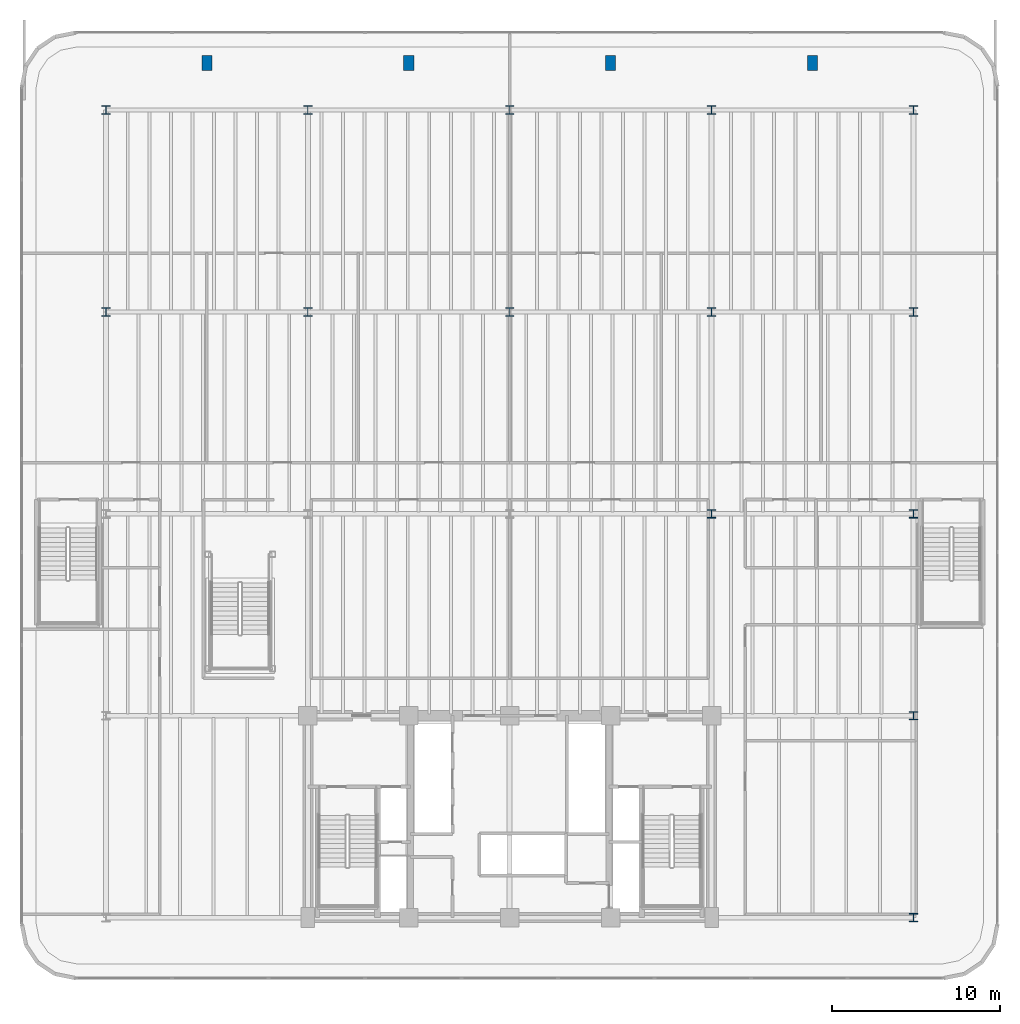
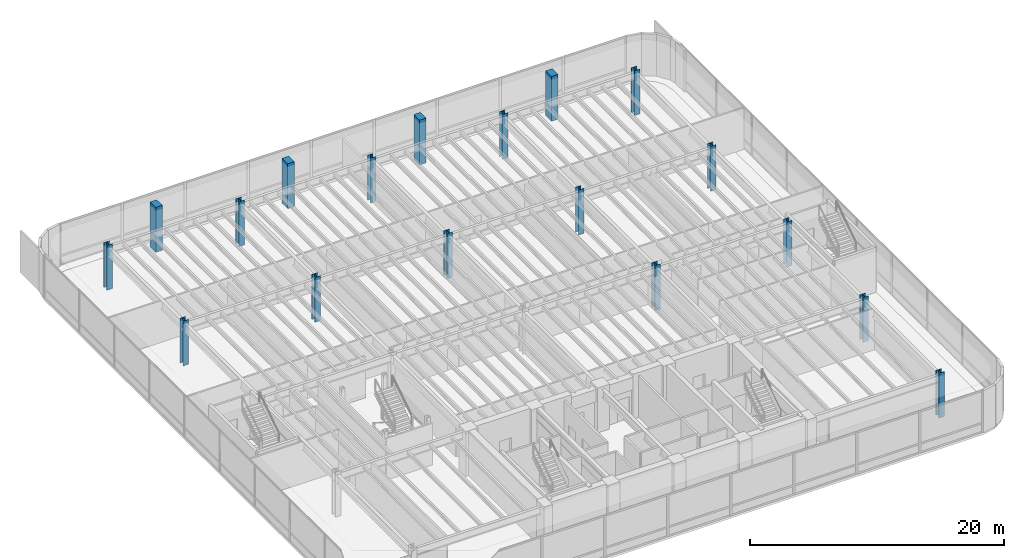
# One storey, part 2 of 18: 18 columns.
"""IFC4 building model written with IfcOpenShell, lengths in metres."""

from ifc_helpers import new_model, si_unit, direction, frame, origin, origin_2d, place, context, subcontext, project, spatial, rectangle, i_section, extrude, source, transform, mapped, material, material_profile, profile_set, type_object, element, save


model = new_model("IFC4")

# Units and contexts
model_context = context("Model", 3, precision=1e-05, world=origin(), true_north=direction((0.0, 1.0)))
body_context = subcontext(model_context, "Body", "Model", "MODEL_VIEW")
ifc_project = project(units=[si_unit("LENGTHUNIT", "METRE"), si_unit("AREAUNIT", "SQUARE_METRE"), si_unit("VOLUMEUNIT", "CUBIC_METRE"), si_unit("PLANEANGLEUNIT", "RADIAN"), si_unit("MASSUNIT", "GRAM", prefix="KILO")], contexts=[model_context])

# Site, building, storey
site_placement = place(None, origin())
site = spatial("IfcSite", under=ifc_project, at=site_placement, CompositionType="ELEMENT")
building_placement = place(site_placement, origin())
building = spatial("IfcBuilding", under=site, at=building_placement, Name="Brelvock Crest Care Tower", CompositionType="ELEMENT")
storey_placement = place(building_placement, frame((0.0, 0.0, 9.719970703125)))
storey = spatial("IfcBuildingStorey", under=building, at=storey_placement, Name="L02", CompositionType="ELEMENT", Elevation=9.719970703125)

# Columns
ifc_material_1 = material(Name="Concrete N50 (50 MPa)", Category="concrete")
ifc_material_profile_1 = material_profile(ifc_material_1, rectangle(XDim=0.60009765625, YDim=0.89990234375, at=origin_2d()), Name="RC600x900")
ifc_profile_set_1 = profile_set([ifc_material_profile_1], Name="Concrete N50 (50 MPa)")
column_type_1 = type_object("IfcColumnType", Name="COL-PL1", PredefinedType="PILASTER", material=ifc_profile_set_1)
shared_shape_1 = source(origin(), body_context, "Body", "SweptSolid", [
    extrude(rectangle(XDim=0.60009765625, YDim=0.89990234375, at=origin_2d()), origin(), (0.0, 0.0, 1.0), 4.320068359375),
])
for number, where, z_axis, x_axis, name in (
    (1, (18.0, 56.800048828125, 0.0), (0.0, 0.0, 1.0), (1.0, 0.0, 0.0), "L02 Podium Pilaster PIL-1"),
    (2, (30.0, 56.800048828125, 0.0), (0.0, 0.0, 1.0), (1.0, 0.0, 0.0), "L02 Podium Pilaster PIL-2"),
    (3, (42.0, 56.800048828125, 0.0), (0.0, 0.0, 1.0), (1.0, 0.0, 0.0), "L02 Podium Pilaster PIL-3"),
    (4, (54.0, 56.800048828125, 0.0), (0.0, 0.0, 1.0), (1.0, 0.0, 0.0), "L02 Podium Pilaster PIL-4"),
):
    element("IfcColumn", number, at=place(storey_placement, frame(where, z_axis=z_axis, x_axis=x_axis)), inside=storey, type_object=column_type_1, Name=name, PredefinedType="PILASTER", context=body_context, shape_type="MappedRepresentation", body=[
        mapped(shared_shape_1, transform((0.0, 0.0, 0.0), x_axis=(1.0, 0.0, 0.0), y_axis=(0.0, 1.0, 0.0), z_axis=(0.0, 0.0, 1.0), scale=1.0)),
    ])
ifc_material_2 = material(Name="Steel Grade 350", Category="steel")
ifc_material_profile_2 = material_profile(ifc_material_2, i_section(OverallWidth=0.5, OverallDepth=0.5, WebThickness=0.02197265625, FlangeThickness=0.034912109375, at=origin_2d()), Name="500WC340")
ifc_profile_set_2 = profile_set([ifc_material_profile_2], Name="Steel Grade 350")
column_type_2 = type_object("IfcColumnType", Name="COL-PC2", PredefinedType="COLUMN", material=ifc_profile_set_2)
shared_shape_2 = source(origin(), body_context, "Body", "SweptSolid", [
    extrude(i_section(OverallWidth=0.5, OverallDepth=0.5, WebThickness=0.02197265625, FlangeThickness=0.034912109375, at=origin_2d()), origin(), (0.0, 0.0, 1.0), 4.320068359375),
])
for number, where, z_axis, x_axis, name in (
    (5, (60.0, 6.0, 0.0), (0.0, 0.0, 1.0), (1.0, 0.0, 0.0), "L02 Podium Column PC-02"),
    (6, (60.0, 18.0, 0.0), (0.0, 0.0, 1.0), (1.0, 0.0, 0.0), "L02 Podium Column PC-04"),
    (7, (48.0, 30.0, 0.0), (0.0, 0.0, 1.0), (1.0, 0.0, 0.0), "L02 Podium Column PC-08"),
    (8, (60.0, 30.0, 0.0), (0.0, 0.0, 1.0), (1.0, 0.0, 0.0), "L02 Podium Column PC-09"),
    (9, (12.0, 42.0, 0.0), (0.0, 0.0, 1.0), (1.0, 0.0, 0.0), "L02 Podium Column PC-10"),
    (10, (24.0, 42.0, 0.0), (0.0, 0.0, 1.0), (1.0, 0.0, 0.0), "L02 Podium Column PC-11"),
    (11, (36.0, 42.0, 0.0), (0.0, 0.0, 1.0), (1.0, 0.0, 0.0), "L02 Podium Column PC-12"),
    (12, (48.0, 42.0, 0.0), (0.0, 0.0, 1.0), (1.0, 0.0, 0.0), "L02 Podium Column PC-13"),
    (13, (60.0, 42.0, 0.0), (0.0, 0.0, 1.0), (1.0, 0.0, 0.0), "L02 Podium Column PC-14"),
    (14, (12.0, 54.0, 0.0), (0.0, 0.0, 1.0), (1.0, 0.0, 0.0), "L02 Podium Column PC-15"),
    (15, (24.0, 54.0, 0.0), (0.0, 0.0, 1.0), (1.0, 0.0, 0.0), "L02 Podium Column PC-16"),
    (16, (36.0, 54.0, 0.0), (0.0, 0.0, 1.0), (1.0, 0.0, 0.0), "L02 Podium Column PC-17"),
    (17, (48.0, 54.0, 0.0), (0.0, 0.0, 1.0), (1.0, 0.0, 0.0), "L02 Podium Column PC-18"),
    (18, (60.0, 54.0, 0.0), (0.0, 0.0, 1.0), (1.0, 0.0, 0.0), "L02 Podium Column PC-19"),
):
    element("IfcColumn", number, at=place(storey_placement, frame(where, z_axis=z_axis, x_axis=x_axis)), inside=storey, type_object=column_type_2, Name=name, PredefinedType="COLUMN", context=body_context, shape_type="MappedRepresentation", body=[
        mapped(shared_shape_2, transform((0.0, 0.0, 0.0), x_axis=(1.0, 0.0, 0.0), y_axis=(0.0, 1.0, 0.0), z_axis=(0.0, 0.0, 1.0), scale=1.0)),
    ])

save(model, "model.ifc")
